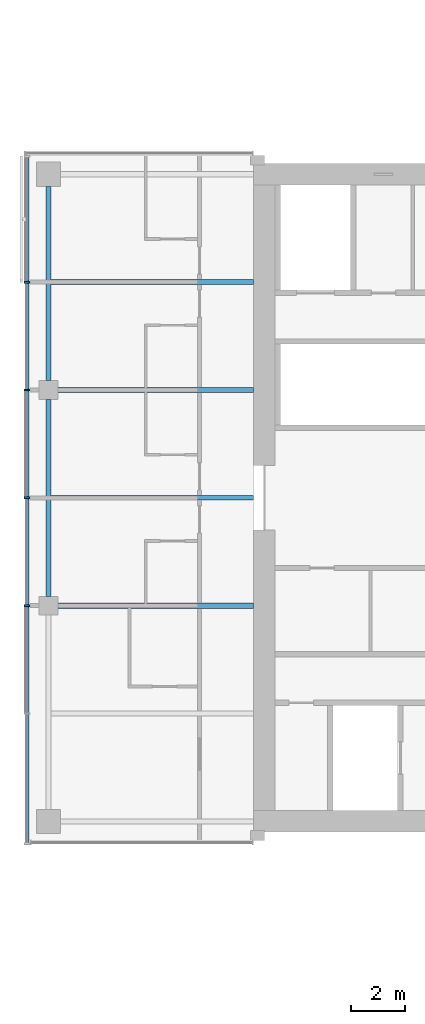
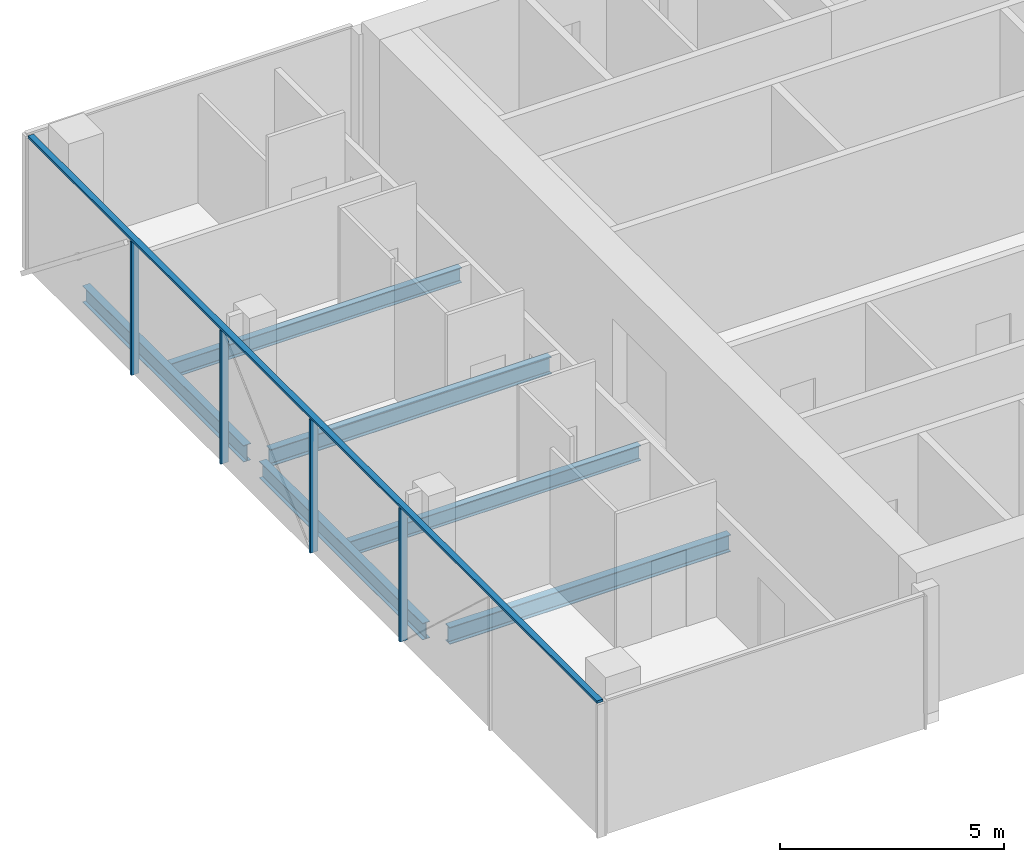
# One storey, part 6 of 27: 6 beams, 5 members, 1 element without a shape of its own.
"""IFC4 building model written with IfcOpenShell, lengths in metres."""

from ifc_helpers import new_model, si_unit, direction, frame, origin, origin_2d, place, context, subcontext, project, spatial, rectangle, i_section, extrude, material, material_profile, profile_set, type_object, element, aggregate, save


model = new_model("IFC4")

# Units and contexts
model_context = context("Model", 3, precision=1e-05, world=origin(), true_north=direction((0.0, 1.0)))
body_context = subcontext(model_context, "Body", "Model", "MODEL_VIEW")
ifc_project = project(units=[si_unit("LENGTHUNIT", "METRE"), si_unit("AREAUNIT", "SQUARE_METRE"), si_unit("VOLUMEUNIT", "CUBIC_METRE"), si_unit("PLANEANGLEUNIT", "RADIAN"), si_unit("MASSUNIT", "GRAM", prefix="KILO")], contexts=[model_context])

# Site, building, storey
site_placement = place(None, origin())
site = spatial("IfcSite", under=ifc_project, at=site_placement, CompositionType="ELEMENT")
building_placement = place(site_placement, origin())
building = spatial("IfcBuilding", under=site, at=building_placement, Name="Crosswind Convention Tower", CompositionType="ELEMENT")
storey_placement = place(building_placement, frame((0.0, 0.0, 90.5)))
storey = spatial("IfcBuildingStorey", under=building, at=storey_placement, Name="L17", CompositionType="ELEMENT", Elevation=90.5)

# Beams
ifc_material_1 = material(Name="Steel S355", Category="steel")
ifc_material_profile_1 = material_profile(ifc_material_1, i_section(OverallWidth=0.1904296875, OverallDepth=0.457275390625, WebThickness=0.009033203125, FlangeThickness=0.014404296875, FilletRadius=0.01025390625, at=origin_2d()), Name="UB 457x191x75")
ifc_profile_set_1 = profile_set([ifc_material_profile_1], Name="Steel S355")
beam_type_1 = type_object("IfcBeamType", Name="Edge beam UB 457x191x75", PredefinedType="SPANDREL", material=ifc_profile_set_1)
beam_1_placement = place(storey_placement, frame((89.0, 96.35009765625, -0.508544921875), z_axis=(0.0, 1.0, 0.0), x_axis=(-1.0, 0.0, 0.0)))
element("IfcBeam", 1, at=beam_1_placement, inside=storey, type_object=beam_type_1, Name="B17 L17 edge beam 2", PredefinedType="SPANDREL", context=body_context, shape_type="SweptSolid", body=[
    extrude(i_section(OverallWidth=0.1904296875, OverallDepth=0.457275390625, WebThickness=0.009033203125, FlangeThickness=0.014404296875, FilletRadius=0.01025390625, at=origin_2d()), origin(), (0.0, 0.0, 1.0), 7.2998046875),
])
beam_2_placement = place(storey_placement, frame((89.0, 104.35009765625, -0.508544921875), z_axis=(0.0, 1.0, 0.0), x_axis=(-1.0, 0.0, 0.0)))
element("IfcBeam", 2, at=beam_2_placement, inside=storey, type_object=beam_type_1, Name="B17 L17 edge beam 3", PredefinedType="SPANDREL", context=body_context, shape_type="SweptSolid", body=[
    extrude(i_section(OverallWidth=0.1904296875, OverallDepth=0.457275390625, WebThickness=0.009033203125, FlangeThickness=0.014404296875, FilletRadius=0.01025390625, at=origin_2d()), origin(), (0.0, 0.0, 1.0), 7.199951171875),
])
ifc_material_profile_2 = material_profile(ifc_material_1, i_section(OverallWidth=0.19189453125, OverallDepth=0.463623046875, WebThickness=0.010498046875, FlangeThickness=0.017578125, FilletRadius=0.01025390625, at=origin_2d()), Name="UB 457x191x90")
ifc_profile_set_2 = profile_set([ifc_material_profile_2], Name="Steel S355")
beam_type_2 = type_object("IfcBeamType", Name="Girder at core wall UB 457x191x90", PredefinedType="BEAM", material=ifc_profile_set_2)
for number, where, z_axis, x_axis, name in (
    (3, (89.35009765625, 96.0, -0.51171875), (1.0, 0.0, 0.0), (0.0, 1.0, 0.0), "B24 L17 girder at core wall 1"),
    (4, (89.35009765625, 104.0, -0.51171875), (1.0, 0.0, 0.0), (0.0, 1.0, 0.0), "B24 L17 girder at core wall 2"),
):
    element("IfcBeam", number, at=place(storey_placement, frame(where, z_axis=z_axis, x_axis=x_axis)), inside=storey, type_object=beam_type_2, Name=name, PredefinedType="BEAM", context=body_context, shape_type="SweptSolid", body=[
        extrude(i_section(OverallWidth=0.19189453125, OverallDepth=0.463623046875, WebThickness=0.010498046875, FlangeThickness=0.017578125, FilletRadius=0.01025390625, at=origin_2d()), origin(), (0.0, 0.0, 1.0), 7.25),
    ])

# Curtain wall, members
ifc_material_2 = material(Name="Aluminium unitised curtain wall", Category="aluminium")
curtain_wall_type = type_object("IfcCurtainWallType", Name="HOTEL UNITISED WALL 200", PredefinedType="USERDEFINED", material=ifc_material_2)
curtain_wall_placement = place(storey_placement, origin())
curtain_wall = element("IfcCurtainWall", 5, at=curtain_wall_placement, inside=storey, type_object=curtain_wall_type, Name="CW2 L17 W-TIP 1", ObjectType="UNITISED", PredefinedType="USERDEFINED")
ifc_material_3 = material(Name="Aluminium mullion", Category="aluminium")
ifc_material_profile_3 = material_profile(ifc_material_3, rectangle(XDim=0.199951171875, YDim=0.06494140625, at=origin_2d()), Name="AL 200X65")
ifc_profile_set_3 = profile_set([ifc_material_profile_3], Name="Aluminium mullion")
member_type_1 = type_object("IfcMemberType", Name="MULLION 65X200", PredefinedType="MULLION", material=ifc_profile_set_3)
member_1_placement = place(storey_placement, frame((88.199951171875, 108.0, -0.280029296875), z_axis=(0.0, 0.0, 1.0), x_axis=(-1.0, 0.0, 0.0)))
member_1 = element("IfcMember", 6, at=member_1_placement, type_object=member_type_1, Name="CW2 mullion 2", PredefinedType="MULLION", context=body_context, shape_type="SweptSolid", body=[
    extrude(rectangle(XDim=0.199951171875, YDim=0.06494140625, at=origin_2d()), origin(), (0.0, 0.0, 1.0), 3.635009765625),
])
member_2_placement = place(storey_placement, frame((88.199951171875, 104.0, -0.280029296875), z_axis=(0.0, 0.0, 1.0), x_axis=(-1.0, 0.0, 0.0)))
member_2 = element("IfcMember", 7, at=member_2_placement, type_object=member_type_1, Name="CW2 mullion 3", PredefinedType="MULLION", context=body_context, shape_type="SweptSolid", body=[
    extrude(rectangle(XDim=0.199951171875, YDim=0.06494140625, at=origin_2d()), origin(), (0.0, 0.0, 1.0), 3.635009765625),
])
member_3_placement = place(storey_placement, frame((88.199951171875, 100.0, -0.280029296875), z_axis=(0.0, 0.0, 1.0), x_axis=(-1.0, 0.0, 0.0)))
member_3 = element("IfcMember", 8, at=member_3_placement, type_object=member_type_1, Name="CW2 mullion 4", PredefinedType="MULLION", context=body_context, shape_type="SweptSolid", body=[
    extrude(rectangle(XDim=0.199951171875, YDim=0.06494140625, at=origin_2d()), origin(), (0.0, 0.0, 1.0), 3.635009765625),
])
member_4_placement = place(storey_placement, frame((88.199951171875, 96.0, -0.280029296875), z_axis=(0.0, 0.0, 1.0), x_axis=(-1.0, 0.0, 0.0)))
member_4 = element("IfcMember", 9, at=member_4_placement, type_object=member_type_1, Name="CW2 mullion 5", PredefinedType="MULLION", context=body_context, shape_type="SweptSolid", body=[
    extrude(rectangle(XDim=0.199951171875, YDim=0.06494140625, at=origin_2d()), origin(), (0.0, 0.0, 1.0), 3.635009765625),
])

# Beams
ifc_material_profile_4 = material_profile(ifc_material_1, i_section(OverallWidth=0.177734375, OverallDepth=0.406494140625, WebThickness=0.0078125, FlangeThickness=0.0126953125, FilletRadius=0.01025390625, at=origin_2d()), Name="UB 406x178x60")
ifc_profile_set_4 = profile_set([ifc_material_profile_4], Name="Steel S355")
beam_type_3 = type_object("IfcBeamType", Name="Secondary beam UB 406x178x60", PredefinedType="JOIST", material=ifc_profile_set_4)
for number, where, z_axis, x_axis, name in (
    (10, (89.09521484375, 100.0, -0.483154296875), (1.0, 0.0, 0.0), (0.0, 1.0, 0.0), "B10 L17 secondary beam 2"),
    (11, (89.09521484375, 108.0, -0.483154296875), (1.0, 0.0, 0.0), (0.0, 1.0, 0.0), "B10 L17 secondary beam 3"),
):
    element("IfcBeam", number, at=place(storey_placement, frame(where, z_axis=z_axis, x_axis=x_axis)), inside=storey, type_object=beam_type_3, Name=name, PredefinedType="JOIST", context=body_context, shape_type="SweptSolid", body=[
        extrude(i_section(OverallWidth=0.177734375, OverallDepth=0.406494140625, WebThickness=0.0078125, FlangeThickness=0.0126953125, FilletRadius=0.01025390625, at=origin_2d()), origin(), (0.0, 0.0, 1.0), 7.5048828125),
    ])

# Member
ifc_material_4 = material(Name="Aluminium transom", Category="aluminium")
ifc_material_profile_5 = material_profile(ifc_material_4, rectangle(XDim=0.14990234375, YDim=0.06494140625, at=origin_2d()), Name="AL 150X65")
ifc_profile_set_5 = profile_set([ifc_material_profile_5], Name="Aluminium transom")
member_type_2 = type_object("IfcMemberType", Name="TRANSOM 65X150", PredefinedType="USERDEFINED", material=ifc_profile_set_5)
member_5_placement = place(storey_placement, frame((88.199951171875, 112.635009765625, 3.387451171875), z_axis=(0.0, -1.0, 0.0), x_axis=(1.0, 0.0, 0.0)))
member_5 = element("IfcMember", 12, at=member_5_placement, type_object=member_type_2, Name="CW2 transom", ObjectType="TRANSOM", PredefinedType="USERDEFINED", context=body_context, shape_type="SweptSolid", body=[
    extrude(rectangle(XDim=0.14990234375, YDim=0.06494140625, at=origin_2d()), origin(), (0.0, 0.0, 1.0), 25.429931640625),
])

aggregate(curtain_wall, [member_1, member_2, member_3, member_4, member_5])

save(model, "model.ifc")
